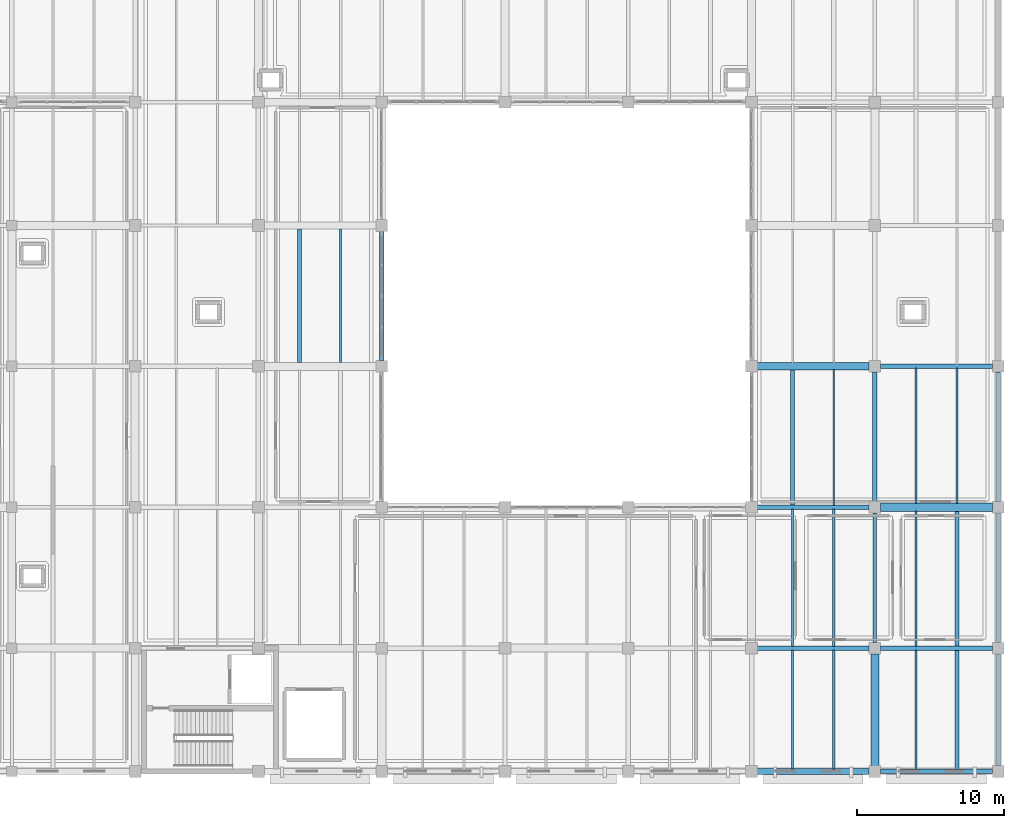
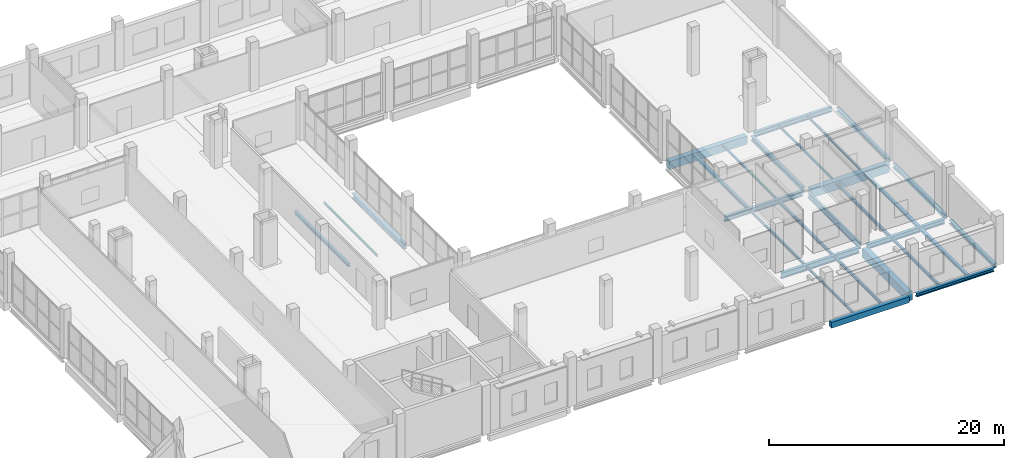
# One storey, part 41 of 73: 29 beams.
"""IFC4 building model written with IfcOpenShell, lengths in metres."""

from ifc_helpers import new_model, si_unit, direction, frame, origin, origin_2d, place, context, subcontext, project, spatial, rectangle, i_section, extrude, material, material_profile, profile_set, type_object, element, save


model = new_model("IFC4")

# Units and contexts
model_context = context("Model", 3, precision=1e-05, world=origin(), true_north=direction((0.0, 1.0)))
body_context = subcontext(model_context, "Body", "Model", "MODEL_VIEW")
ifc_project = project(units=[si_unit("LENGTHUNIT", "METRE"), si_unit("AREAUNIT", "SQUARE_METRE"), si_unit("VOLUMEUNIT", "CUBIC_METRE"), si_unit("PLANEANGLEUNIT", "RADIAN"), si_unit("MASSUNIT", "GRAM", prefix="KILO")], contexts=[model_context])

# Site, building, storey
site_placement = place(None, origin())
site = spatial("IfcSite", under=ifc_project, at=site_placement, CompositionType="ELEMENT")
building_placement = place(site_placement, origin())
building = spatial("IfcBuilding", under=site, at=building_placement, Name="Zulmaris Art Gallery", CompositionType="ELEMENT")
storey_placement = place(building_placement, frame((0.0, 0.0, 10.5)))
storey = spatial("IfcBuildingStorey", under=building, at=storey_placement, Name="L02", CompositionType="ELEMENT", Elevation=10.5)

# Beams
ifc_material_1 = material(Name="Steel S355J2", Category="steel")
ifc_material_profile_1 = material_profile(ifc_material_1, i_section(OverallWidth=0.219970703125, OverallDepth=0.60009765625, WebThickness=0.011962890625, FlangeThickness=0.01904296875, FilletRadius=0.02392578125, at=origin_2d()), Name="IPE 600")
ifc_profile_set_1 = profile_set([ifc_material_profile_1], Name="Steel S355J2")
beam_type_1 = type_object("IfcBeamType", Name="BEAM-BM07", PredefinedType="BEAM", material=ifc_profile_set_1)
beam_1_placement = place(storey_placement, frame((192.0, 21.985107421875, -0.699951171875), z_axis=(0.0, 1.0, 0.0), x_axis=(-1.0, 0.0, 0.0)))
element("IfcBeam", 1, at=beam_1_placement, inside=storey, type_object=beam_type_1, Name="L02 Y-girder (x=192.0, 21.6..31.2)", PredefinedType="BEAM", context=body_context, shape_type="SweptSolid", body=[
    extrude(i_section(OverallWidth=0.219970703125, OverallDepth=0.60009765625, WebThickness=0.011962890625, FlangeThickness=0.01904296875, FilletRadius=0.02392578125, at=origin_2d()), origin(), (0.0, 0.0, 1.0), 8.829833984375),
])
ifc_material_profile_2 = material_profile(ifc_material_1, i_section(OverallWidth=0.300048828125, OverallDepth=0.43994140625, WebThickness=0.011474609375, FlangeThickness=0.02099609375, FilletRadius=0.027099609375, at=origin_2d()), Name="HEA 450")
ifc_profile_set_2 = profile_set([ifc_material_profile_2], Name="Steel S355J2")
beam_type_2 = type_object("IfcBeamType", Name="BEAM-BM10", PredefinedType="BEAM", material=ifc_profile_set_2)
beam_2_placement = place(storey_placement, frame((192.0, 31.5849609375, -0.6201171875), z_axis=(0.0, 1.0, 0.0), x_axis=(-1.0, 0.0, 0.0)))
element("IfcBeam", 2, at=beam_2_placement, inside=storey, type_object=beam_type_2, Name="L02 Y-girder (x=192.0, 31.2..40.8)", PredefinedType="BEAM", context=body_context, shape_type="SweptSolid", body=[
    extrude(i_section(OverallWidth=0.300048828125, OverallDepth=0.43994140625, WebThickness=0.011474609375, FlangeThickness=0.02099609375, FilletRadius=0.027099609375, at=origin_2d()), origin(), (0.0, 0.0, 1.0), 8.830078125),
])
ifc_material_profile_3 = material_profile(ifc_material_1, i_section(OverallWidth=0.300048828125, OverallDepth=0.5, WebThickness=0.014404296875, FlangeThickness=0.028076171875, FilletRadius=0.027099609375, at=origin_2d()), Name="HEB 500")
ifc_profile_set_3 = profile_set([ifc_material_profile_3], Name="Steel S355J2")
beam_type_3 = type_object("IfcBeamType", Name="BEAM-BM14", PredefinedType="BEAM", material=ifc_profile_set_3)
for number, where, z_axis, x_axis, name in (
    (3, (192.385009765625, 21.60009765625, -0.64501953125), (1.0, 0.0, 0.0), (0.0, 1.0, 0.0), "L02 X-girder (192.0..200.4, y=21.6)"),
    (4, (183.985107421875, 31.199951171875, -0.64990234375), (1.0, 0.0, 0.0), (0.0, 1.0, 0.0), "L02 X-girder (183.6..192.0, y=31.2)"),
    (5, (192.385009765625, 40.800048828125, -0.64990234375), (1.0, 0.0, 0.0), (0.0, 1.0, 0.0), "L02 X-girder (192.0..200.4, y=40.8)"),
):
    element("IfcBeam", number, at=place(storey_placement, frame(where, z_axis=z_axis, x_axis=x_axis)), inside=storey, type_object=beam_type_3, Name=name, PredefinedType="BEAM", context=body_context, shape_type="SweptSolid", body=[
        extrude(i_section(OverallWidth=0.300048828125, OverallDepth=0.5, WebThickness=0.014404296875, FlangeThickness=0.028076171875, FilletRadius=0.027099609375, at=origin_2d()), origin(), (0.0, 0.0, 1.0), 7.6298828125),
    ])
beam_3_placement = place(storey_placement, frame((158.39990234375, 41.18505859375, -0.64501953125), z_axis=(0.0, 1.0, 0.0), x_axis=(-1.0, 0.0, 0.0)))
element("IfcBeam", 6, at=beam_3_placement, inside=storey, type_object=beam_type_3, Name="L02 Y-girder (x=158.4, 40.8..50.4)", PredefinedType="BEAM", context=body_context, shape_type="SweptSolid", body=[
    extrude(i_section(OverallWidth=0.300048828125, OverallDepth=0.5, WebThickness=0.014404296875, FlangeThickness=0.028076171875, FilletRadius=0.027099609375, at=origin_2d()), origin(), (0.0, 0.0, 1.0), 8.829833984375),
])
ifc_material_profile_4 = material_profile(ifc_material_1, i_section(OverallWidth=0.300048828125, OverallDepth=0.60009765625, WebThickness=0.015380859375, FlangeThickness=0.030029296875, FilletRadius=0.027099609375, at=origin_2d()), Name="HEB 600")
ifc_profile_set_4 = profile_set([ifc_material_profile_4], Name="Steel S355J2")
beam_type_4 = type_object("IfcBeamType", Name="BEAM-BM15", PredefinedType="BEAM", material=ifc_profile_set_4)
beam_4_placement = place(storey_placement, frame((183.985107421875, 21.60009765625, -0.699951171875), z_axis=(1.0, 0.0, 0.0), x_axis=(0.0, 1.0, 0.0)))
element("IfcBeam", 7, at=beam_4_placement, inside=storey, type_object=beam_type_4, Name="L02 X-girder (183.6..192.0, y=21.6)", PredefinedType="BEAM", context=body_context, shape_type="SweptSolid", body=[
    extrude(i_section(OverallWidth=0.300048828125, OverallDepth=0.60009765625, WebThickness=0.015380859375, FlangeThickness=0.030029296875, FilletRadius=0.027099609375, at=origin_2d()), origin(), (0.0, 0.0, 1.0), 7.6298828125),
])
ifc_material_2 = material(Name="Concrete C40/50", Category="concrete")
ifc_material_profile_5 = material_profile(ifc_material_2, rectangle(XDim=0.550048828125, YDim=0.89990234375, at=origin_2d()), Name="RC 550x900")
ifc_profile_set_5 = profile_set([ifc_material_profile_5], Name="Concrete C40/50")
beam_type_5 = type_object("IfcBeamType", Name="BEAM-BM21", PredefinedType="BEAM", material=ifc_profile_set_5)
beam_5_placement = place(storey_placement, frame((192.385009765625, 31.199951171875, -0.85009765625), z_axis=(1.0, 0.0, 0.0), x_axis=(0.0, 1.0, 0.0)))
element("IfcBeam", 8, at=beam_5_placement, inside=storey, type_object=beam_type_5, Name="L02 X-girder (192.0..200.4, y=31.2)", PredefinedType="BEAM", context=body_context, shape_type="SweptSolid", body=[
    extrude(rectangle(XDim=0.550048828125, YDim=0.89990234375, at=origin_2d()), origin(), (0.0, 0.0, 1.0), 7.6298828125),
])
beam_6_placement = place(storey_placement, frame((192.0, 13.5849609375, -0.85009765625), z_axis=(0.0, 1.0, 0.0), x_axis=(-1.0, 0.0, 0.0)))
element("IfcBeam", 9, at=beam_6_placement, inside=storey, type_object=beam_type_5, Name="L02 Y-girder (x=192.0, 13.2..21.6)", PredefinedType="BEAM", context=body_context, shape_type="SweptSolid", body=[
    extrude(rectangle(XDim=0.550048828125, YDim=0.89990234375, at=origin_2d()), origin(), (0.0, 0.0, 1.0), 7.630126953125),
])
ifc_material_profile_6 = material_profile(ifc_material_2, rectangle(XDim=0.5, YDim=0.85009765625, at=origin_2d()), Name="RC 500x850")
ifc_profile_set_6 = profile_set([ifc_material_profile_6], Name="Concrete C40/50")
beam_type_6 = type_object("IfcBeamType", Name="BEAM-BM26", PredefinedType="BEAM", material=ifc_profile_set_6)
beam_7_placement = place(storey_placement, frame((183.985107421875, 40.800048828125, -0.824951171875), z_axis=(1.0, 0.0, 0.0), x_axis=(0.0, 1.0, 0.0)))
element("IfcBeam", 10, at=beam_7_placement, inside=storey, type_object=beam_type_6, Name="L02 X-girder (183.6..192.0, y=40.8)", PredefinedType="BEAM", context=body_context, shape_type="SweptSolid", body=[
    extrude(rectangle(XDim=0.5, YDim=0.85009765625, at=origin_2d()), origin(), (0.0, 0.0, 1.0), 7.6298828125),
])
ifc_material_profile_7 = material_profile(ifc_material_1, i_section(OverallWidth=0.1201171875, OverallDepth=0.239990234375, WebThickness=0.006103515625, FlangeThickness=0.009765625, FilletRadius=0.014892578125, at=origin_2d()), Name="IPE 240")
ifc_profile_set_7 = profile_set([ifc_material_profile_7], Name="Steel S355J2")
beam_type_7 = type_object("IfcBeamType", Name="BEAM-JS01", PredefinedType="JOIST", material=ifc_profile_set_7)
beam_8_placement = place(storey_placement, frame((155.60009765625, 41.050048828125, -0.52001953125), z_axis=(0.0, 1.0, 0.0), x_axis=(-1.0, 0.0, 0.0)))
element("IfcBeam", 11, at=beam_8_placement, inside=storey, type_object=beam_type_7, Name="L02 secondary joist at x=155.6", PredefinedType="JOIST", context=body_context, shape_type="SweptSolid", body=[
    extrude(i_section(OverallWidth=0.1201171875, OverallDepth=0.239990234375, WebThickness=0.006103515625, FlangeThickness=0.009765625, FilletRadius=0.014892578125, at=origin_2d()), origin(), (0.0, 0.0, 1.0), 9.125),
])
beam_9_placement = place(storey_placement, frame((189.199951171875, 31.324951171875, -0.52001953125), z_axis=(0.0, 1.0, 0.0), x_axis=(-1.0, 0.0, 0.0)))
element("IfcBeam", 12, at=beam_9_placement, inside=storey, type_object=beam_type_7, Name="L02 secondary joist at x=189.2", PredefinedType="JOIST", context=body_context, shape_type="SweptSolid", body=[
    extrude(i_section(OverallWidth=0.1201171875, OverallDepth=0.239990234375, WebThickness=0.006103515625, FlangeThickness=0.009765625, FilletRadius=0.014892578125, at=origin_2d()), origin(), (0.0, 0.0, 1.0), 9.25),
])
beam_10_placement = place(storey_placement, frame((194.800048828125, 31.449951171875, -0.52001953125), z_axis=(0.0, 1.0, 0.0), x_axis=(-1.0, 0.0, 0.0)))
element("IfcBeam", 13, at=beam_10_placement, inside=storey, type_object=beam_type_7, Name="L02 secondary joist at x=194.8", PredefinedType="JOIST", context=body_context, shape_type="SweptSolid", body=[
    extrude(i_section(OverallWidth=0.1201171875, OverallDepth=0.239990234375, WebThickness=0.006103515625, FlangeThickness=0.009765625, FilletRadius=0.014892578125, at=origin_2d()), origin(), (0.0, 0.0, 1.0), 9.22509765625),
])
ifc_material_profile_8 = material_profile(ifc_material_1, i_section(OverallWidth=0.135009765625, OverallDepth=0.27001953125, WebThickness=0.006591796875, FlangeThickness=0.01025390625, FilletRadius=0.014892578125, at=origin_2d()), Name="IPE 270")
ifc_profile_set_8 = profile_set([ifc_material_profile_8], Name="Steel S355J2")
beam_type_8 = type_object("IfcBeamType", Name="BEAM-JS02", PredefinedType="JOIST", material=ifc_profile_set_8)
beam_11_placement = place(storey_placement, frame((186.39990234375, 13.375, -0.534912109375), z_axis=(0.0, 1.0, 0.0), x_axis=(-1.0, 0.0, 0.0)))
element("IfcBeam", 14, at=beam_11_placement, inside=storey, type_object=beam_type_8, Name="L02 secondary joist at x=186.4", PredefinedType="JOIST", context=body_context, shape_type="SweptSolid", body=[
    extrude(i_section(OverallWidth=0.135009765625, OverallDepth=0.27001953125, WebThickness=0.006591796875, FlangeThickness=0.01025390625, FilletRadius=0.014892578125, at=origin_2d()), origin(), (0.0, 0.0, 1.0), 8.10009765625),
])
beam_12_placement = place(storey_placement, frame((186.39990234375, 21.72509765625, -0.534912109375), z_axis=(0.0, 1.0, 0.0), x_axis=(-1.0, 0.0, 0.0)))
element("IfcBeam", 15, at=beam_12_placement, inside=storey, type_object=beam_type_8, Name="L02 secondary joist at x=186.4", PredefinedType="JOIST", context=body_context, shape_type="SweptSolid", body=[
    extrude(i_section(OverallWidth=0.135009765625, OverallDepth=0.27001953125, WebThickness=0.006591796875, FlangeThickness=0.01025390625, FilletRadius=0.014892578125, at=origin_2d()), origin(), (0.0, 0.0, 1.0), 9.349853515625),
])
beam_13_placement = place(storey_placement, frame((197.60009765625, 31.449951171875, -0.534912109375), z_axis=(0.0, 1.0, 0.0), x_axis=(-1.0, 0.0, 0.0)))
element("IfcBeam", 16, at=beam_13_placement, inside=storey, type_object=beam_type_8, Name="L02 secondary joist at x=197.6", PredefinedType="JOIST", context=body_context, shape_type="SweptSolid", body=[
    extrude(i_section(OverallWidth=0.135009765625, OverallDepth=0.27001953125, WebThickness=0.006591796875, FlangeThickness=0.01025390625, FilletRadius=0.014892578125, at=origin_2d()), origin(), (0.0, 0.0, 1.0), 9.22509765625),
])
ifc_material_profile_9 = material_profile(ifc_material_1, i_section(OverallWidth=0.159912109375, OverallDepth=0.330078125, WebThickness=0.007568359375, FlangeThickness=0.011474609375, FilletRadius=0.01806640625, at=origin_2d()), Name="IPE 330")
ifc_profile_set_9 = profile_set([ifc_material_profile_9], Name="Steel S355J2")
beam_type_9 = type_object("IfcBeamType", Name="BEAM-JS03", PredefinedType="JOIST", material=ifc_profile_set_9)
beam_14_placement = place(storey_placement, frame((189.199951171875, 13.375, -0.56494140625), z_axis=(0.0, 1.0, 0.0), x_axis=(-1.0, 0.0, 0.0)))
element("IfcBeam", 17, at=beam_14_placement, inside=storey, type_object=beam_type_9, Name="L02 secondary joist at x=189.2", PredefinedType="JOIST", context=body_context, shape_type="SweptSolid", body=[
    extrude(i_section(OverallWidth=0.159912109375, OverallDepth=0.330078125, WebThickness=0.007568359375, FlangeThickness=0.011474609375, FilletRadius=0.01806640625, at=origin_2d()), origin(), (0.0, 0.0, 1.0), 8.10009765625),
])
beam_15_placement = place(storey_placement, frame((189.199951171875, 21.72509765625, -0.56494140625), z_axis=(0.0, 1.0, 0.0), x_axis=(-1.0, 0.0, 0.0)))
element("IfcBeam", 18, at=beam_15_placement, inside=storey, type_object=beam_type_9, Name="L02 secondary joist at x=189.2", PredefinedType="JOIST", context=body_context, shape_type="SweptSolid", body=[
    extrude(i_section(OverallWidth=0.159912109375, OverallDepth=0.330078125, WebThickness=0.007568359375, FlangeThickness=0.011474609375, FilletRadius=0.01806640625, at=origin_2d()), origin(), (0.0, 0.0, 1.0), 9.349853515625),
])
beam_16_placement = place(storey_placement, frame((194.800048828125, 13.324951171875, -0.56494140625), z_axis=(0.0, 1.0, 0.0), x_axis=(-1.0, 0.0, 0.0)))
element("IfcBeam", 19, at=beam_16_placement, inside=storey, type_object=beam_type_9, Name="L02 secondary joist at x=194.8", PredefinedType="JOIST", context=body_context, shape_type="SweptSolid", body=[
    extrude(i_section(OverallWidth=0.159912109375, OverallDepth=0.330078125, WebThickness=0.007568359375, FlangeThickness=0.011474609375, FilletRadius=0.01806640625, at=origin_2d()), origin(), (0.0, 0.0, 1.0), 8.150146484375),
])
beam_17_placement = place(storey_placement, frame((194.800048828125, 21.72509765625, -0.56494140625), z_axis=(0.0, 1.0, 0.0), x_axis=(-1.0, 0.0, 0.0)))
element("IfcBeam", 20, at=beam_17_placement, inside=storey, type_object=beam_type_9, Name="L02 secondary joist at x=194.8", PredefinedType="JOIST", context=body_context, shape_type="SweptSolid", body=[
    extrude(i_section(OverallWidth=0.159912109375, OverallDepth=0.330078125, WebThickness=0.007568359375, FlangeThickness=0.011474609375, FilletRadius=0.01806640625, at=origin_2d()), origin(), (0.0, 0.0, 1.0), 9.224853515625),
])
ifc_material_profile_10 = material_profile(ifc_material_1, i_section(OverallWidth=0.280029296875, OverallDepth=0.27001953125, WebThickness=0.008056640625, FlangeThickness=0.012939453125, FilletRadius=0.02392578125, at=origin_2d()), Name="HEA 280")
ifc_profile_set_10 = profile_set([ifc_material_profile_10], Name="Steel S355J2")
beam_type_10 = type_object("IfcBeamType", Name="BEAM-JS04", PredefinedType="JOIST", material=ifc_profile_set_10)
beam_18_placement = place(storey_placement, frame((152.800048828125, 41.050048828125, -0.534912109375), z_axis=(0.0, 1.0, 0.0), x_axis=(-1.0, 0.0, 0.0)))
element("IfcBeam", 21, at=beam_18_placement, inside=storey, type_object=beam_type_10, Name="L02 secondary joist at x=152.8", PredefinedType="JOIST", context=body_context, shape_type="SweptSolid", body=[
    extrude(i_section(OverallWidth=0.280029296875, OverallDepth=0.27001953125, WebThickness=0.008056640625, FlangeThickness=0.012939453125, FilletRadius=0.02392578125, at=origin_2d()), origin(), (0.0, 0.0, 1.0), 9.125),
])
beam_19_placement = place(storey_placement, frame((186.39990234375, 31.324951171875, -0.534912109375), z_axis=(0.0, 1.0, 0.0), x_axis=(-1.0, 0.0, 0.0)))
element("IfcBeam", 22, at=beam_19_placement, inside=storey, type_object=beam_type_10, Name="L02 secondary joist at x=186.4", PredefinedType="JOIST", context=body_context, shape_type="SweptSolid", body=[
    extrude(i_section(OverallWidth=0.280029296875, OverallDepth=0.27001953125, WebThickness=0.008056640625, FlangeThickness=0.012939453125, FilletRadius=0.02392578125, at=origin_2d()), origin(), (0.0, 0.0, 1.0), 9.25),
])
beam_20_placement = place(storey_placement, frame((197.60009765625, 13.324951171875, -0.534912109375), z_axis=(0.0, 1.0, 0.0), x_axis=(-1.0, 0.0, 0.0)))
element("IfcBeam", 23, at=beam_20_placement, inside=storey, type_object=beam_type_10, Name="L02 secondary joist at x=197.6", PredefinedType="JOIST", context=body_context, shape_type="SweptSolid", body=[
    extrude(i_section(OverallWidth=0.280029296875, OverallDepth=0.27001953125, WebThickness=0.008056640625, FlangeThickness=0.012939453125, FilletRadius=0.02392578125, at=origin_2d()), origin(), (0.0, 0.0, 1.0), 8.150146484375),
])
beam_21_placement = place(storey_placement, frame((197.60009765625, 21.72509765625, -0.534912109375), z_axis=(0.0, 1.0, 0.0), x_axis=(-1.0, 0.0, 0.0)))
element("IfcBeam", 24, at=beam_21_placement, inside=storey, type_object=beam_type_10, Name="L02 secondary joist at x=197.6", PredefinedType="JOIST", context=body_context, shape_type="SweptSolid", body=[
    extrude(i_section(OverallWidth=0.280029296875, OverallDepth=0.27001953125, WebThickness=0.008056640625, FlangeThickness=0.012939453125, FilletRadius=0.02392578125, at=origin_2d()), origin(), (0.0, 0.0, 1.0), 9.224853515625),
])
ifc_material_profile_11 = material_profile(ifc_material_1, i_section(OverallWidth=0.300048828125, OverallDepth=0.35009765625, WebThickness=0.010009765625, FlangeThickness=0.017578125, FilletRadius=0.027099609375, at=origin_2d()), Name="HEA 360")
ifc_profile_set_11 = profile_set([ifc_material_profile_11], Name="Steel S355J2")
beam_type_11 = type_object("IfcBeamType", Name="BEAM-SP01", PredefinedType="SPANDREL", material=ifc_profile_set_11)
beam_22_placement = place(storey_placement, frame((192.385009765625, 13.199951171875, -0.574951171875), z_axis=(1.0, 0.0, 0.0), x_axis=(0.0, 1.0, 0.0)))
element("IfcBeam", 25, at=beam_22_placement, inside=storey, type_object=beam_type_11, Name="L02 X-girder (192.0..200.4, y=13.2)", PredefinedType="SPANDREL", context=body_context, shape_type="SweptSolid", body=[
    extrude(i_section(OverallWidth=0.300048828125, OverallDepth=0.35009765625, WebThickness=0.010009765625, FlangeThickness=0.017578125, FilletRadius=0.027099609375, at=origin_2d()), origin(), (0.0, 0.0, 1.0), 7.6298828125),
])
ifc_material_profile_12 = material_profile(ifc_material_1, i_section(OverallWidth=0.300048828125, OverallDepth=0.39990234375, WebThickness=0.013427734375, FlangeThickness=0.02392578125, FilletRadius=0.027099609375, at=origin_2d()), Name="HEB 400")
ifc_profile_set_12 = profile_set([ifc_material_profile_12], Name="Steel S355J2")
beam_type_12 = type_object("IfcBeamType", Name="BEAM-SP02", PredefinedType="SPANDREL", material=ifc_profile_set_12)
beam_23_placement = place(storey_placement, frame((200.39990234375, 13.5849609375, -0.60009765625), z_axis=(0.0, 1.0, 0.0), x_axis=(-1.0, 0.0, 0.0)))
element("IfcBeam", 26, at=beam_23_placement, inside=storey, type_object=beam_type_12, Name="L02 Y-girder (x=200.4, 13.2..21.6)", PredefinedType="SPANDREL", context=body_context, shape_type="SweptSolid", body=[
    extrude(i_section(OverallWidth=0.300048828125, OverallDepth=0.39990234375, WebThickness=0.013427734375, FlangeThickness=0.02392578125, FilletRadius=0.027099609375, at=origin_2d()), origin(), (0.0, 0.0, 1.0), 7.630126953125),
])
beam_24_placement = place(storey_placement, frame((200.39990234375, 21.985107421875, -0.60009765625), z_axis=(0.0, 1.0, 0.0), x_axis=(-1.0, 0.0, 0.0)))
element("IfcBeam", 27, at=beam_24_placement, inside=storey, type_object=beam_type_12, Name="L02 Y-girder (x=200.4, 21.6..31.2)", PredefinedType="SPANDREL", context=body_context, shape_type="SweptSolid", body=[
    extrude(i_section(OverallWidth=0.300048828125, OverallDepth=0.39990234375, WebThickness=0.013427734375, FlangeThickness=0.02392578125, FilletRadius=0.027099609375, at=origin_2d()), origin(), (0.0, 0.0, 1.0), 8.829833984375),
])
beam_25_placement = place(storey_placement, frame((200.39990234375, 31.5849609375, -0.60009765625), z_axis=(0.0, 1.0, 0.0), x_axis=(-1.0, 0.0, 0.0)))
element("IfcBeam", 28, at=beam_25_placement, inside=storey, type_object=beam_type_12, Name="L02 Y-girder (x=200.4, 31.2..40.8)", PredefinedType="SPANDREL", context=body_context, shape_type="SweptSolid", body=[
    extrude(i_section(OverallWidth=0.300048828125, OverallDepth=0.39990234375, WebThickness=0.013427734375, FlangeThickness=0.02392578125, FilletRadius=0.027099609375, at=origin_2d()), origin(), (0.0, 0.0, 1.0), 8.830078125),
])
ifc_material_profile_13 = material_profile(ifc_material_2, rectangle(XDim=0.39990234375, YDim=0.60009765625, at=origin_2d()), Name="RC 400x600")
ifc_profile_set_13 = profile_set([ifc_material_profile_13], Name="Concrete C40/50")
beam_type_13 = type_object("IfcBeamType", Name="BEAM-SP03", PredefinedType="SPANDREL", material=ifc_profile_set_13)
beam_26_placement = place(storey_placement, frame((183.985107421875, 13.199951171875, -0.699951171875), z_axis=(1.0, 0.0, 0.0), x_axis=(0.0, 1.0, 0.0)))
element("IfcBeam", 29, at=beam_26_placement, inside=storey, type_object=beam_type_13, Name="L02 X-girder (183.6..192.0, y=13.2)", PredefinedType="SPANDREL", context=body_context, shape_type="SweptSolid", body=[
    extrude(rectangle(XDim=0.39990234375, YDim=0.60009765625, at=origin_2d()), origin(), (0.0, 0.0, 1.0), 7.6298828125),
])

save(model, "model.ifc")
